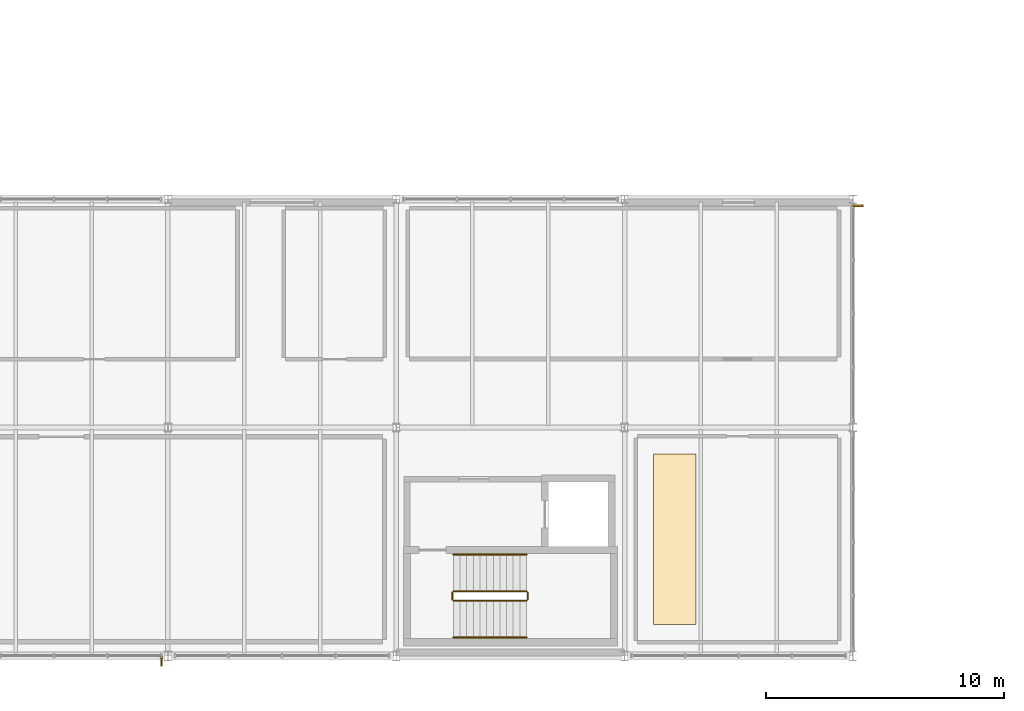
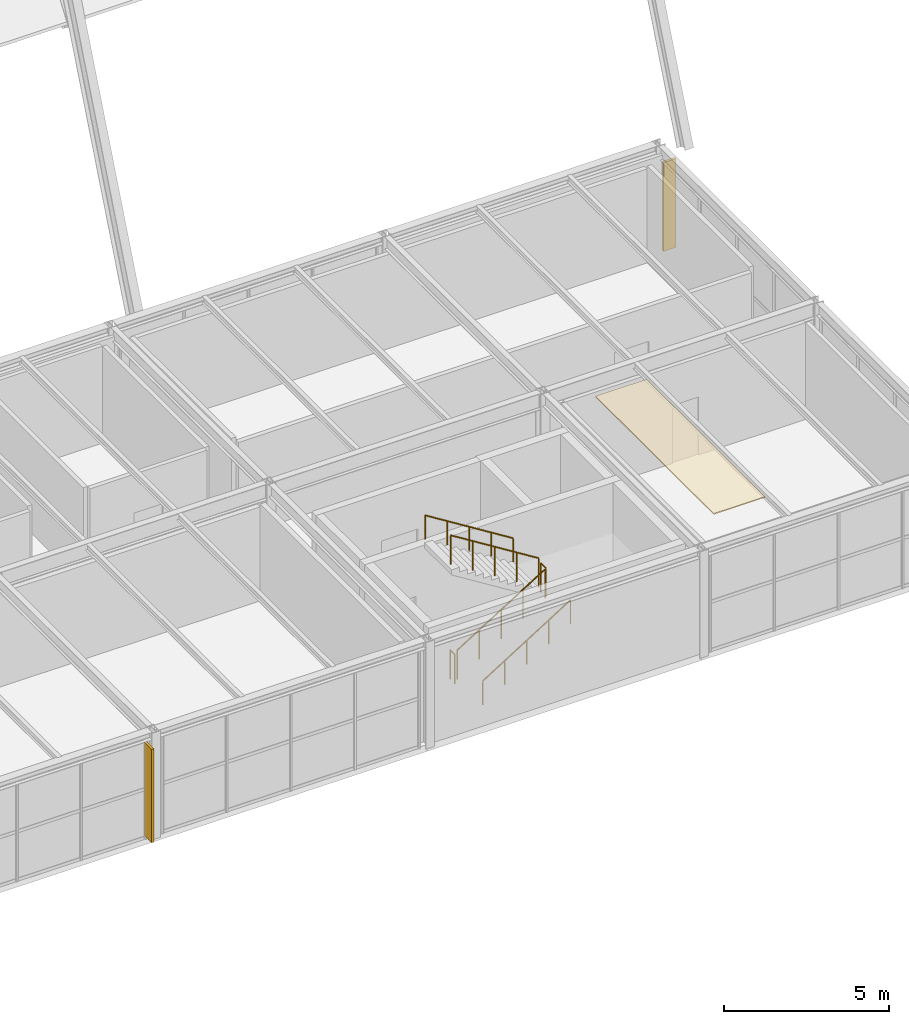
# One storey, part 125 of 126: 6 railings, 2 shading devices, 1 covering.
"""IFC4 building model written with IfcOpenShell, lengths in metres."""

from ifc_helpers import new_model, si_unit, direction, frame, origin, origin_2d, place, context, subcontext, project, spatial, polyline, rectangle, circle, outline, extrude, material, layer, layer_set, type_object, element, save


model = new_model("IFC4")

# Units and contexts
model_context = context("Model", 3, precision=1e-05, world=origin(), true_north=direction((0.0, 1.0)))
body_context = subcontext(model_context, "Body", "Model", "MODEL_VIEW")
ifc_project = project(units=[si_unit("LENGTHUNIT", "METRE"), si_unit("AREAUNIT", "SQUARE_METRE"), si_unit("VOLUMEUNIT", "CUBIC_METRE"), si_unit("PLANEANGLEUNIT", "RADIAN"), si_unit("MASSUNIT", "GRAM", prefix="KILO")], contexts=[model_context])

# Site, building, storey
site_placement = place(None, origin())
site = spatial("IfcSite", under=ifc_project, at=site_placement, CompositionType="ELEMENT")
building_placement = place(site_placement, origin())
building = spatial("IfcBuilding", under=site, at=building_placement, Name="Coralgate Yard Interchange", CompositionType="ELEMENT")
storey_placement = place(building_placement, frame((0.0, 0.0, 10.5)))
storey = spatial("IfcBuildingStorey", under=building, at=storey_placement, Name="L02", CompositionType="ELEMENT", Elevation=10.5)

# Covering
ifc_material_1 = material(Name="Perforated marine-grade aluminium acoustic ceiling raft", Category="aluminium")
ifc_layer = layer(ifc_material_1, 0.0400390625)
ifc_layer_set = layer_set([ifc_layer], Name="Perforated marine-grade aluminium acoustic ceiling raft")
covering_type = type_object("IfcCoveringType", Name="COV-CEL1", PredefinedType="CEILING", material=ifc_layer_set)
covering_placement = place(storey_placement, frame((0.0, 0.0, 3.945068359375)))
element("IfcCovering", 1, at=covering_placement, inside=storey, type_object=covering_type, Name="Traffic Signal Coordination Office acoustic soffit panel", PredefinedType="CEILING", context=body_context, shape_type="SweptSolid", body=[
    extrude(outline(polyline([(87.610107421875, 1.31005859375), (89.39990234375, 1.31005859375), (89.39990234375, 8.489990234375), (87.610107421875, 8.489990234375), (87.610107421875, 1.31005859375)])), origin(), (0.0, 0.0, 1.0), 0.0400390625),
])

# Railings
ifc_material_2 = material(Name="Grade 316 marine stainless steel and toughened glass balustrade", Category="steel")
railing_type_1 = type_object("IfcRailingType", Name="RLG-GD1100", PredefinedType="BALUSTRADE", material=ifc_material_2)
railing_1_placement = place(storey_placement, frame((79.199951171875, 2.320068359375, 0.175048828125)))
element("IfcRailing", 2, at=railing_1_placement, inside=storey, type_object=railing_type_1, Name="L02 ST-04 stair guard 1", PredefinedType="BALUSTRADE", context=body_context, shape_type="SweptSolid", body=[
    extrude(circle(Radius=0.02392578125, at=origin_2d()), frame((0.0, 0.0, 1.076171875), z_axis=(0.847998304005, 0.0, 0.529998940003), x_axis=(0.0, 1.0, 0.0)), (0.0, 0.0, 1.0), 3.632080078125),
    extrude(circle(Radius=0.02099609375, at=origin_2d()), origin(), (0.0, 0.0, 1.0), 1.051513671875),
    extrude(circle(Radius=0.02099609375, at=origin_2d()), frame((0.77001953125, 0.0, 0.481201171875)), (0.0, 0.0, 1.0), 1.051513671875),
    extrude(circle(Radius=0.02099609375, at=origin_2d()), frame((1.5400390625, 0.0, 0.96240234375)), (0.0, 0.0, 1.0), 1.051513671875),
    extrude(circle(Radius=0.02099609375, at=origin_2d()), frame((2.31005859375, 0.0, 1.44384765625)), (0.0, 0.0, 1.0), 1.051513671875),
    extrude(circle(Radius=0.02099609375, at=origin_2d()), frame((3.080078125, 0.0, 1.925048828125)), (0.0, 0.0, 1.0), 1.051513671875),
])
railing_2_placement = place(storey_placement, frame((82.330078125, 2.3701171875, 2.10009765625)))
element("IfcRailing", 3, at=railing_2_placement, inside=storey, type_object=railing_type_1, Name="L02 ST-04 stair guard 2", PredefinedType="BALUSTRADE", context=body_context, shape_type="SweptSolid", body=[
    extrude(circle(Radius=0.02392578125, at=origin_2d()), frame((0.0, 0.0, 1.076171875), z_axis=(0.0, 1.0, 0.0), x_axis=(-1.0, 0.0, 0.0)), (0.0, 0.0, 1.0), 0.289794921875),
    extrude(circle(Radius=0.02099609375, at=origin_2d()), origin(), (0.0, 0.0, 1.0), 1.051513671875),
    extrude(circle(Radius=0.02099609375, at=origin_2d()), frame((0.0, 0.289794921875, 0.0)), (0.0, 0.0, 1.0), 1.051513671875),
])
railing_3_placement = place(storey_placement, frame((82.280029296875, 2.7099609375, 2.27490234375)))
element("IfcRailing", 4, at=railing_3_placement, inside=storey, type_object=railing_type_1, Name="L02 ST-04 stair guard 3", PredefinedType="BALUSTRADE", context=body_context, shape_type="SweptSolid", body=[
    extrude(circle(Radius=0.02392578125, at=origin_2d()), frame((0.0, 0.0, 1.076171875), z_axis=(-0.847998304005, 0.0, 0.529998940003), x_axis=(0.0, -1.0, 0.0)), (0.0, 0.0, 1.0), 3.632080078125),
    extrude(circle(Radius=0.02099609375, at=origin_2d()), origin(), (0.0, 0.0, 1.0), 1.051513671875),
    extrude(circle(Radius=0.02099609375, at=origin_2d()), frame((-0.77001953125, 0.0, 0.481201171875)), (0.0, 0.0, 1.0), 1.051513671875),
    extrude(circle(Radius=0.02099609375, at=origin_2d()), frame((-1.5400390625, 0.0, 0.96240234375)), (0.0, 0.0, 1.0), 1.051513671875),
    extrude(circle(Radius=0.02099609375, at=origin_2d()), frame((-2.31005859375, 0.0, 1.44384765625)), (0.0, 0.0, 1.0), 1.051513671875),
    extrude(circle(Radius=0.02099609375, at=origin_2d()), frame((-3.080078125, 0.0, 1.925048828125)), (0.0, 0.0, 1.0), 1.051513671875),
])
railing_4_placement = place(storey_placement, frame((79.14990234375, 2.3701171875, 0.0)))
element("IfcRailing", 5, at=railing_4_placement, inside=storey, type_object=railing_type_1, Name="L02 ST-04 stair guard 4", PredefinedType="BALUSTRADE", context=body_context, shape_type="SweptSolid", body=[
    extrude(circle(Radius=0.02392578125, at=origin_2d()), frame((0.0, 0.0, 1.076171875), z_axis=(0.0, 1.0, 0.0), x_axis=(-1.0, 0.0, 0.0)), (0.0, 0.0, 1.0), 0.289794921875),
    extrude(circle(Radius=0.02099609375, at=origin_2d()), origin(), (0.0, 0.0, 1.0), 1.051513671875),
    extrude(circle(Radius=0.02099609375, at=origin_2d()), frame((0.0, 0.289794921875, 0.0)), (0.0, 0.0, 1.0), 1.051513671875),
])
ifc_material_3 = material(Name="Grade 316 marine stainless steel", Category="steel")
railing_type_2 = type_object("IfcRailingType", Name="RLG-HR900", PredefinedType="HANDRAIL", material=ifc_material_3)
railing_5_placement = place(storey_placement, frame((79.199951171875, 0.77001953125, 0.175048828125)))
element("IfcRailing", 6, at=railing_5_placement, inside=storey, type_object=railing_type_2, Name="L02 ST-04 stair handrail 1", PredefinedType="HANDRAIL", context=body_context, shape_type="SweptSolid", body=[
    extrude(circle(Radius=0.02392578125, at=origin_2d()), frame((0.0, 0.0, 0.8759765625), z_axis=(0.847998304005, 0.0, 0.529998940003), x_axis=(0.0, 1.0, 0.0)), (0.0, 0.0, 1.0), 3.632080078125),
    extrude(circle(Radius=0.02099609375, at=origin_2d()), origin(), (0.0, 0.0, 1.0), 0.851318359375),
    extrude(circle(Radius=0.02099609375, at=origin_2d()), frame((0.77001953125, 0.0, 0.481201171875)), (0.0, 0.0, 1.0), 0.851318359375),
    extrude(circle(Radius=0.02099609375, at=origin_2d()), frame((1.5400390625, 0.0, 0.96240234375)), (0.0, 0.0, 1.0), 0.851318359375),
    extrude(circle(Radius=0.02099609375, at=origin_2d()), frame((2.31005859375, 0.0, 1.44384765625)), (0.0, 0.0, 1.0), 0.851318359375),
    extrude(circle(Radius=0.02099609375, at=origin_2d()), frame((3.080078125, 0.0, 1.925048828125)), (0.0, 0.0, 1.0), 0.851318359375),
])
railing_6_placement = place(storey_placement, frame((82.280029296875, 4.260009765625, 2.27490234375)))
element("IfcRailing", 7, at=railing_6_placement, inside=storey, type_object=railing_type_2, Name="L02 ST-04 stair handrail 2", PredefinedType="HANDRAIL", context=body_context, shape_type="SweptSolid", body=[
    extrude(circle(Radius=0.02392578125, at=origin_2d()), frame((0.0, 0.0, 0.8759765625), z_axis=(-0.847998304005, 0.0, 0.529998940003), x_axis=(0.0, -1.0, 0.0)), (0.0, 0.0, 1.0), 3.632080078125),
    extrude(circle(Radius=0.02099609375, at=origin_2d()), origin(), (0.0, 0.0, 1.0), 0.851318359375),
    extrude(circle(Radius=0.02099609375, at=origin_2d()), frame((-0.77001953125, 0.0, 0.481201171875)), (0.0, 0.0, 1.0), 0.851318359375),
    extrude(circle(Radius=0.02099609375, at=origin_2d()), frame((-1.5400390625, 0.0, 0.96240234375)), (0.0, 0.0, 1.0), 0.851318359375),
    extrude(circle(Radius=0.02099609375, at=origin_2d()), frame((-2.31005859375, 0.0, 1.44384765625)), (0.0, 0.0, 1.0), 0.851318359375),
    extrude(circle(Radius=0.02099609375, at=origin_2d()), frame((-3.080078125, 0.0, 1.925048828125)), (0.0, 0.0, 1.0), 0.851318359375),
])

# Shading devices
ifc_material_4 = material(Name="Anodised coastal aluminium vertical brise-soleil blade", Category="aluminium")
shading_device_type = type_object("IfcShadingDeviceType", Name="SHD-BS1", PredefinedType="SHUTTER", material=ifc_material_4)
shading_device_1_placement = place(storey_placement, frame((66.929931640625, -0.219970703125, 0.10009765625), z_axis=(0.0, 0.0, 1.0), x_axis=(-1.0, 0.0, 0.0)))
element("IfcShadingDevice", 8, at=shading_device_1_placement, inside=storey, type_object=shading_device_type, Name="L02 coastal aluminium brise-soleil fin S-6-0", PredefinedType="SHUTTER", context=body_context, shape_type="SweptSolid", body=[
    extrude(rectangle(XDim=0.080078125, YDim=0.449951171875, at=origin_2d()), origin(), (0.0, 0.0, 1.0), 3.4599609375),
])
shading_device_2_placement = place(storey_placement, frame((96.219970703125, 18.929931640625, 0.10009765625), z_axis=(0.0, 0.0, 1.0), x_axis=(0.0, -1.0, 0.0)))
element("IfcShadingDevice", 9, at=shading_device_2_placement, inside=storey, type_object=shading_device_type, Name="L02 coastal aluminium brise-soleil fin E-9-1", PredefinedType="SHUTTER", context=body_context, shape_type="SweptSolid", body=[
    extrude(rectangle(XDim=0.080078125, YDim=0.449951171875, at=origin_2d()), origin(), (0.0, 0.0, 1.0), 3.29296875),
])

save(model, "model.ifc")
